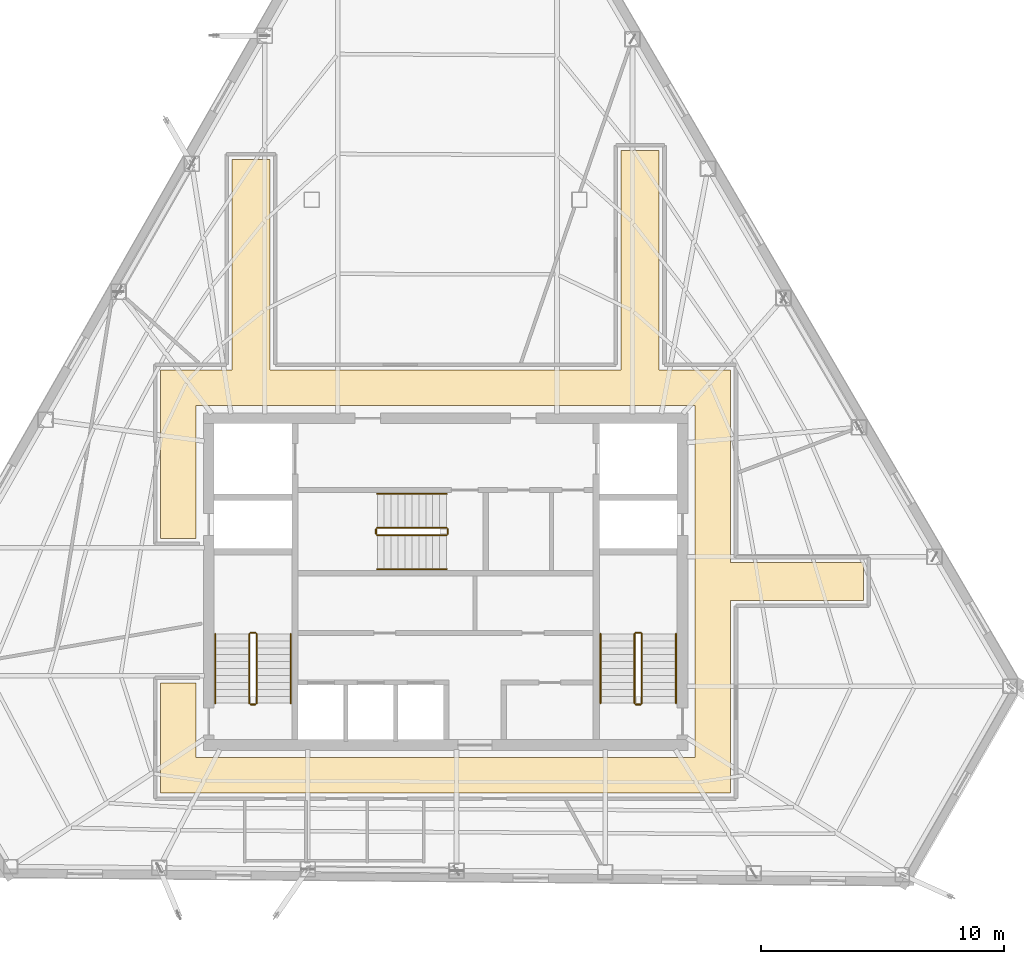
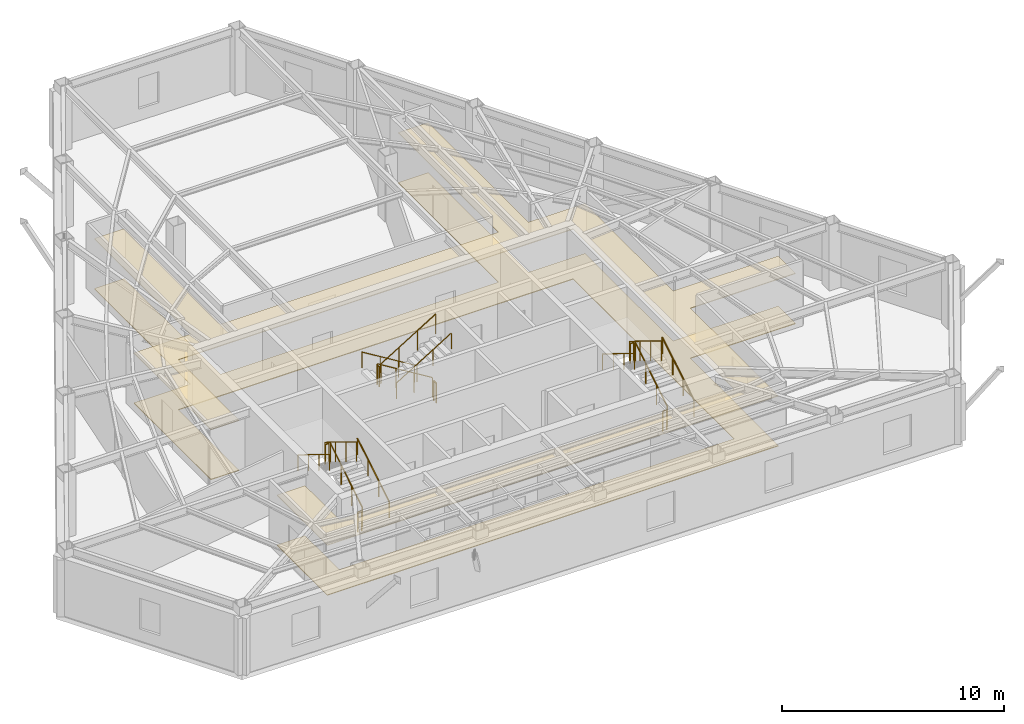
# One storey, part 10 of 10: 18 railings, 2 coverings.
"""IFC4 building model written with IfcOpenShell, lengths in metres."""

from ifc_helpers import new_model, si_unit, direction, frame, origin, origin_2d, place, context, subcontext, project, spatial, polyline, circle, outline, extrude, material, layer, layer_set, type_object, element, save


model = new_model("IFC4")

# Units and contexts
model_context = context("Model", 3, precision=1e-05, world=origin(), true_north=direction((0.0, 1.0)))
body_context = subcontext(model_context, "Body", "Model", "MODEL_VIEW")
ifc_project = project(units=[si_unit("LENGTHUNIT", "METRE"), si_unit("AREAUNIT", "SQUARE_METRE"), si_unit("VOLUMEUNIT", "CUBIC_METRE"), si_unit("PLANEANGLEUNIT", "RADIAN"), si_unit("MASSUNIT", "GRAM", prefix="KILO")], contexts=[model_context])

# Site, building, storey
site_placement = place(None, origin())
site = spatial("IfcSite", under=ifc_project, at=site_placement, CompositionType="ELEMENT")
building_placement = place(site_placement, origin())
building = spatial("IfcBuilding", under=site, at=building_placement, Name="Kavelnor Concourse Tower", CompositionType="ELEMENT")
storey_placement = place(building_placement, frame((0.0, 0.0, 188.10009765625)))
storey = spatial("IfcBuildingStorey", under=building, at=storey_placement, Name="L47", CompositionType="ELEMENT", Elevation=188.10009765625)

# Coverings
ifc_material_1 = material(Name="Mineral fibre acoustic ceiling tile")
ifc_layer_1 = layer(ifc_material_1, 0.0400390625, Name="Mineral fibre acoustic ceiling tile")
ifc_layer_set_1 = layer_set([ifc_layer_1], Name="Mineral fibre acoustic ceiling tile")
covering_type_1 = type_object("IfcCoveringType", Name="COV-CEILING-ACOUSTIC", PredefinedType="CEILING", material=ifc_layer_set_1)
covering_1_placement = place(storey_placement, frame((0.0, 0.0, 2.75)))
element("IfcCovering", 1, at=covering_1_placement, inside=storey, type_object=covering_type_1, Name="L47 Suspended Acoustic Ceiling", PredefinedType="CEILING", context=body_context, shape_type="SweptSolid", body=[
    extrude(outline(polyline([(29.219970703125, 24.800048828125), (29.219970703125, 33.4619140625), (30.780029296875, 33.4619140625), (30.780029296875, 24.800048828125), (45.219970703125, 24.800048828125), (45.219970703125, 33.822509765625), (46.780029296875, 33.822509765625), (46.780029296875, 24.800048828125), (49.719970703125, 24.800048828125), (49.719970703125, 16.8798828125), (55.179931640625, 16.8798828125), (55.179931640625, 15.320068359375), (49.719970703125, 15.320068359375), (49.719970703125, 7.39990234375), (26.280029296875, 7.39990234375), (26.280029296875, 11.929931640625), (27.739990234375, 11.929931640625), (27.739990234375, 8.860107421875), (48.260009765625, 8.860107421875), (48.260009765625, 23.340087890625), (27.739990234375, 23.340087890625), (27.739990234375, 17.8701171875), (26.280029296875, 17.8701171875), (26.280029296875, 24.800048828125), (29.219970703125, 24.800048828125)])), origin(), (0.0, 0.0, 1.0), 0.039794921875),
])
ifc_material_2 = material(Name="Honed bluestone and raised access floor finish", Category="masonry")
ifc_layer_2 = layer(ifc_material_2, 0.0400390625, Name="Honed bluestone and raised access floor finish")
ifc_layer_set_2 = layer_set([ifc_layer_2], Name="Honed bluestone and raised access floor finish")
covering_type_2 = type_object("IfcCoveringType", Name="COV-FLOOR-STONE", PredefinedType="FLOORING", material=ifc_layer_set_2)
covering_2_placement = place(storey_placement, frame((0.0, 0.0, 0.001953125)))
element("IfcCovering", 2, at=covering_2_placement, inside=storey, type_object=covering_type_2, Name="L47 Honed Bluestone Floor Finish", PredefinedType="FLOORING", context=body_context, shape_type="SweptSolid", body=[
    extrude(outline(polyline([(29.219970703125, 24.800048828125), (29.219970703125, 33.4619140625), (30.780029296875, 33.4619140625), (30.780029296875, 24.800048828125), (45.219970703125, 24.800048828125), (45.219970703125, 33.822509765625), (46.780029296875, 33.822509765625), (46.780029296875, 24.800048828125), (49.719970703125, 24.800048828125), (49.719970703125, 16.8798828125), (55.179931640625, 16.8798828125), (55.179931640625, 15.320068359375), (49.719970703125, 15.320068359375), (49.719970703125, 7.39990234375), (26.280029296875, 7.39990234375), (26.280029296875, 11.929931640625), (27.739990234375, 11.929931640625), (27.739990234375, 8.860107421875), (48.260009765625, 8.860107421875), (48.260009765625, 23.340087890625), (27.739990234375, 23.340087890625), (27.739990234375, 17.8701171875), (26.280029296875, 17.8701171875), (26.280029296875, 24.800048828125), (29.219970703125, 24.800048828125)])), origin(), (0.0, 0.0, 1.0), 0.0400390625),
])

# Railings
ifc_material_3 = material(Name="Steel Grade 350", Category="steel")
railing_type_1 = type_object("IfcRailingType", Name="RLG-GUARD-1100", PredefinedType="GUARDRAIL", material=ifc_material_3)
railing_1_placement = place(storey_placement, frame((30.22998046875, 11.10009765625, 0.1748046875)))
element("IfcRailing", 3, at=railing_1_placement, inside=storey, type_object=railing_type_1, Name="L47 ST1 stair guard 1", PredefinedType="GUARDRAIL", context=body_context, shape_type="SweptSolid", body=[
    extrude(circle(Radius=0.02392578125, at=origin_2d()), frame((0.0, 0.0, 1.076171875), z_axis=(0.0, 0.852159232446, 0.523282564737), x_axis=(-1.0, 0.0, 0.0)), (0.0, 0.0, 1.0), 3.34423828125),
    extrude(circle(Radius=0.02099609375, at=origin_2d()), origin(), (0.0, 0.0, 1.0), 1.052001953125),
    extrude(circle(Radius=0.02099609375, at=origin_2d()), frame((0.0, 0.949951171875, 0.583251953125)), (0.0, 0.0, 1.0), 1.052001953125),
    extrude(circle(Radius=0.02099609375, at=origin_2d()), frame((0.0, 1.89990234375, 1.166748046875)), (0.0, 0.0, 1.0), 1.052001953125),
    extrude(circle(Radius=0.02099609375, at=origin_2d()), frame((0.0, 2.849853515625, 1.75)), (0.0, 0.0, 1.0), 1.052001953125),
])
railing_2_placement = place(storey_placement, frame((30.179931640625, 14.0, 1.9248046875)))
element("IfcRailing", 4, at=railing_2_placement, inside=storey, type_object=railing_type_1, Name="L47 ST1 stair guard 2", PredefinedType="GUARDRAIL", context=body_context, shape_type="SweptSolid", body=[
    extrude(circle(Radius=0.02392578125, at=origin_2d()), frame((0.0, 0.0, 1.076171875), z_axis=(-1.0, 0.0, 0.0), x_axis=(0.0, -1.0, 0.0)), (0.0, 0.0, 1.0), 0.199951171875),
    extrude(circle(Radius=0.02099609375, at=origin_2d()), origin(), (0.0, 0.0, 1.0), 1.052001953125),
    extrude(circle(Radius=0.02099609375, at=origin_2d()), frame((-0.199951171875, 0.0, 0.0)), (0.0, 0.0, 1.0), 1.052001953125),
])
railing_3_placement = place(storey_placement, frame((29.929931640625, 13.949951171875, 2.099853515625)))
element("IfcRailing", 5, at=railing_3_placement, inside=storey, type_object=railing_type_1, Name="L47 ST1 stair guard 3", PredefinedType="GUARDRAIL", context=body_context, shape_type="SweptSolid", body=[
    extrude(circle(Radius=0.02392578125, at=origin_2d()), frame((0.0, 0.0, 1.076171875), z_axis=(0.0, -0.852159232446, 0.523282564737), x_axis=(1.0, 0.0, 0.0)), (0.0, 0.0, 1.0), 3.34423828125),
    extrude(circle(Radius=0.02099609375, at=origin_2d()), origin(), (0.0, 0.0, 1.0), 1.052001953125),
    extrude(circle(Radius=0.02099609375, at=origin_2d()), frame((0.0, -0.949951171875, 0.583251953125)), (0.0, 0.0, 1.0), 1.052001953125),
    extrude(circle(Radius=0.02099609375, at=origin_2d()), frame((0.0, -1.89990234375, 1.166748046875)), (0.0, 0.0, 1.0), 1.052001953125),
    extrude(circle(Radius=0.02099609375, at=origin_2d()), frame((0.0, -2.849853515625, 1.75)), (0.0, 0.0, 1.0), 1.052001953125),
])
railing_4_placement = place(storey_placement, frame((30.179931640625, 11.050048828125, 0.0)))
element("IfcRailing", 6, at=railing_4_placement, inside=storey, type_object=railing_type_1, Name="L47 ST1 stair guard 4", PredefinedType="GUARDRAIL", context=body_context, shape_type="SweptSolid", body=[
    extrude(circle(Radius=0.02392578125, at=origin_2d()), frame((0.0, 0.0, 1.076171875), z_axis=(-1.0, 0.0, 0.0), x_axis=(0.0, -1.0, 0.0)), (0.0, 0.0, 1.0), 0.199951171875),
    extrude(circle(Radius=0.02099609375, at=origin_2d()), origin(), (0.0, 0.0, 1.0), 1.052001953125),
    extrude(circle(Radius=0.02099609375, at=origin_2d()), frame((-0.199951171875, 0.0, 0.0)), (0.0, 0.0, 1.0), 1.052001953125),
])
railing_5_placement = place(storey_placement, frame((46.070068359375, 11.10009765625, 0.1748046875)))
element("IfcRailing", 7, at=railing_5_placement, inside=storey, type_object=railing_type_1, Name="L47 ST2 stair guard 1", PredefinedType="GUARDRAIL", context=body_context, shape_type="SweptSolid", body=[
    extrude(circle(Radius=0.02392578125, at=origin_2d()), frame((0.0, 0.0, 1.076171875), z_axis=(0.0, 0.852159232446, 0.523282564737), x_axis=(-1.0, 0.0, 0.0)), (0.0, 0.0, 1.0), 3.34423828125),
    extrude(circle(Radius=0.02099609375, at=origin_2d()), origin(), (0.0, 0.0, 1.0), 1.052001953125),
    extrude(circle(Radius=0.02099609375, at=origin_2d()), frame((0.0, 0.949951171875, 0.583251953125)), (0.0, 0.0, 1.0), 1.052001953125),
    extrude(circle(Radius=0.02099609375, at=origin_2d()), frame((0.0, 1.89990234375, 1.166748046875)), (0.0, 0.0, 1.0), 1.052001953125),
    extrude(circle(Radius=0.02099609375, at=origin_2d()), frame((0.0, 2.849853515625, 1.75)), (0.0, 0.0, 1.0), 1.052001953125),
])
railing_6_placement = place(storey_placement, frame((46.02001953125, 14.0, 1.9248046875)))
element("IfcRailing", 8, at=railing_6_placement, inside=storey, type_object=railing_type_1, Name="L47 ST2 stair guard 2", PredefinedType="GUARDRAIL", context=body_context, shape_type="SweptSolid", body=[
    extrude(circle(Radius=0.02392578125, at=origin_2d()), frame((0.0, 0.0, 1.076171875), z_axis=(-1.0, 0.0, 0.0), x_axis=(0.0, -1.0, 0.0)), (0.0, 0.0, 1.0), 0.199951171875),
    extrude(circle(Radius=0.02099609375, at=origin_2d()), origin(), (0.0, 0.0, 1.0), 1.052001953125),
    extrude(circle(Radius=0.02099609375, at=origin_2d()), frame((-0.199951171875, 0.0, 0.0)), (0.0, 0.0, 1.0), 1.052001953125),
])
railing_7_placement = place(storey_placement, frame((45.77001953125, 13.949951171875, 2.099853515625)))
element("IfcRailing", 9, at=railing_7_placement, inside=storey, type_object=railing_type_1, Name="L47 ST2 stair guard 3", PredefinedType="GUARDRAIL", context=body_context, shape_type="SweptSolid", body=[
    extrude(circle(Radius=0.02392578125, at=origin_2d()), frame((0.0, 0.0, 1.076171875), z_axis=(0.0, -0.852159232446, 0.523282564737), x_axis=(1.0, 0.0, 0.0)), (0.0, 0.0, 1.0), 3.34423828125),
    extrude(circle(Radius=0.02099609375, at=origin_2d()), origin(), (0.0, 0.0, 1.0), 1.052001953125),
    extrude(circle(Radius=0.02099609375, at=origin_2d()), frame((0.0, -0.949951171875, 0.583251953125)), (0.0, 0.0, 1.0), 1.052001953125),
    extrude(circle(Radius=0.02099609375, at=origin_2d()), frame((0.0, -1.89990234375, 1.166748046875)), (0.0, 0.0, 1.0), 1.052001953125),
    extrude(circle(Radius=0.02099609375, at=origin_2d()), frame((0.0, -2.849853515625, 1.75)), (0.0, 0.0, 1.0), 1.052001953125),
])
railing_8_placement = place(storey_placement, frame((46.02001953125, 11.050048828125, 0.0)))
element("IfcRailing", 10, at=railing_8_placement, inside=storey, type_object=railing_type_1, Name="L47 ST2 stair guard 4", PredefinedType="GUARDRAIL", context=body_context, shape_type="SweptSolid", body=[
    extrude(circle(Radius=0.02392578125, at=origin_2d()), frame((0.0, 0.0, 1.076171875), z_axis=(-1.0, 0.0, 0.0), x_axis=(0.0, -1.0, 0.0)), (0.0, 0.0, 1.0), 0.199951171875),
    extrude(circle(Radius=0.02099609375, at=origin_2d()), origin(), (0.0, 0.0, 1.0), 1.052001953125),
    extrude(circle(Radius=0.02099609375, at=origin_2d()), frame((-0.199951171875, 0.0, 0.0)), (0.0, 0.0, 1.0), 1.052001953125),
])
railing_9_placement = place(storey_placement, frame((38.0400390625, 18.31005859375, 0.1748046875)))
element("IfcRailing", 11, at=railing_9_placement, inside=storey, type_object=railing_type_1, Name="L47 ST3 stair guard 1", PredefinedType="GUARDRAIL", context=body_context, shape_type="SweptSolid", body=[
    extrude(circle(Radius=0.02392578125, at=origin_2d()), frame((0.0, 0.0, 1.076171875), z_axis=(-0.852179220489, 0.0, 0.52325001306), x_axis=(0.0, -1.0, 0.0)), (0.0, 0.0, 1.0), 3.344482421875),
    extrude(circle(Radius=0.02099609375, at=origin_2d()), origin(), (0.0, 0.0, 1.0), 1.052001953125),
    extrude(circle(Radius=0.02099609375, at=origin_2d()), frame((-0.949951171875, 0.0, 0.583251953125)), (0.0, 0.0, 1.0), 1.052001953125),
    extrude(circle(Radius=0.02099609375, at=origin_2d()), frame((-1.900146484375, 0.0, 1.166748046875)), (0.0, 0.0, 1.0), 1.052001953125),
    extrude(circle(Radius=0.02099609375, at=origin_2d()), frame((-2.85009765625, 0.0, 1.75)), (0.0, 0.0, 1.0), 1.052001953125),
])
railing_10_placement = place(storey_placement, frame((35.139892578125, 18.260009765625, 1.9248046875)))
element("IfcRailing", 12, at=railing_10_placement, inside=storey, type_object=railing_type_1, Name="L47 ST3 stair guard 2", PredefinedType="GUARDRAIL", context=body_context, shape_type="SweptSolid", body=[
    extrude(circle(Radius=0.02392578125, at=origin_2d()), frame((0.0, 0.0, 1.076171875), z_axis=(0.0, -1.0, 0.0), x_axis=(1.0, 0.0, 0.0)), (0.0, 0.0, 1.0), 0.199951171875),
    extrude(circle(Radius=0.02099609375, at=origin_2d()), origin(), (0.0, 0.0, 1.0), 1.052001953125),
    extrude(circle(Radius=0.02099609375, at=origin_2d()), frame((0.0, -0.199951171875, 0.0)), (0.0, 0.0, 1.0), 1.052001953125),
])
railing_11_placement = place(storey_placement, frame((35.18994140625, 18.010009765625, 2.099853515625)))
element("IfcRailing", 13, at=railing_11_placement, inside=storey, type_object=railing_type_1, Name="L47 ST3 stair guard 3", PredefinedType="GUARDRAIL", context=body_context, shape_type="SweptSolid", body=[
    extrude(circle(Radius=0.02392578125, at=origin_2d()), frame((0.0, 0.0, 1.076171875), z_axis=(0.852179220489, 0.0, 0.52325001306), x_axis=(0.0, 1.0, 0.0)), (0.0, 0.0, 1.0), 3.344482421875),
    extrude(circle(Radius=0.02099609375, at=origin_2d()), origin(), (0.0, 0.0, 1.0), 1.052001953125),
    extrude(circle(Radius=0.02099609375, at=origin_2d()), frame((0.949951171875, 0.0, 0.583251953125)), (0.0, 0.0, 1.0), 1.052001953125),
    extrude(circle(Radius=0.02099609375, at=origin_2d()), frame((1.900146484375, 0.0, 1.166748046875)), (0.0, 0.0, 1.0), 1.052001953125),
    extrude(circle(Radius=0.02099609375, at=origin_2d()), frame((2.85009765625, 0.0, 1.75)), (0.0, 0.0, 1.0), 1.052001953125),
])
railing_12_placement = place(storey_placement, frame((38.090087890625, 18.260009765625, 0.0)))
element("IfcRailing", 14, at=railing_12_placement, inside=storey, type_object=railing_type_1, Name="L47 ST3 stair guard 4", PredefinedType="GUARDRAIL", context=body_context, shape_type="SweptSolid", body=[
    extrude(circle(Radius=0.02392578125, at=origin_2d()), frame((0.0, 0.0, 1.076171875), z_axis=(0.0, -1.0, 0.0), x_axis=(1.0, 0.0, 0.0)), (0.0, 0.0, 1.0), 0.199951171875),
    extrude(circle(Radius=0.02099609375, at=origin_2d()), origin(), (0.0, 0.0, 1.0), 1.052001953125),
    extrude(circle(Radius=0.02099609375, at=origin_2d()), frame((0.0, -0.199951171875, 0.0)), (0.0, 0.0, 1.0), 1.052001953125),
])
railing_type_2 = type_object("IfcRailingType", Name="RLG-HANDRAIL-900", PredefinedType="HANDRAIL", material=ifc_material_3)
railing_13_placement = place(storey_placement, frame((31.6298828125, 11.10009765625, 0.1748046875)))
element("IfcRailing", 15, at=railing_13_placement, inside=storey, type_object=railing_type_2, Name="L47 ST1 stair handrail 1", PredefinedType="HANDRAIL", context=body_context, shape_type="SweptSolid", body=[
    extrude(circle(Radius=0.02392578125, at=origin_2d()), frame((0.0, 0.0, 0.8759765625), z_axis=(0.0, 0.852159232446, 0.523282564737), x_axis=(-1.0, 0.0, 0.0)), (0.0, 0.0, 1.0), 3.34423828125),
    extrude(circle(Radius=0.02099609375, at=origin_2d()), origin(), (0.0, 0.0, 1.0), 0.851806640625),
    extrude(circle(Radius=0.02099609375, at=origin_2d()), frame((0.0, 0.949951171875, 0.583251953125)), (0.0, 0.0, 1.0), 0.851806640625),
    extrude(circle(Radius=0.02099609375, at=origin_2d()), frame((0.0, 1.89990234375, 1.166748046875)), (0.0, 0.0, 1.0), 0.851806640625),
    extrude(circle(Radius=0.02099609375, at=origin_2d()), frame((0.0, 2.849853515625, 1.75)), (0.0, 0.0, 1.0), 0.851806640625),
])
railing_14_placement = place(storey_placement, frame((28.530029296875, 13.949951171875, 2.099853515625)))
element("IfcRailing", 16, at=railing_14_placement, inside=storey, type_object=railing_type_2, Name="L47 ST1 stair handrail 2", PredefinedType="HANDRAIL", context=body_context, shape_type="SweptSolid", body=[
    extrude(circle(Radius=0.02392578125, at=origin_2d()), frame((0.0, 0.0, 0.8759765625), z_axis=(0.0, -0.852159232446, 0.523282564737), x_axis=(1.0, 0.0, 0.0)), (0.0, 0.0, 1.0), 3.34423828125),
    extrude(circle(Radius=0.02099609375, at=origin_2d()), origin(), (0.0, 0.0, 1.0), 0.851806640625),
    extrude(circle(Radius=0.02099609375, at=origin_2d()), frame((0.0, -0.949951171875, 0.583251953125)), (0.0, 0.0, 1.0), 0.851806640625),
    extrude(circle(Radius=0.02099609375, at=origin_2d()), frame((0.0, -1.89990234375, 1.166748046875)), (0.0, 0.0, 1.0), 0.851806640625),
    extrude(circle(Radius=0.02099609375, at=origin_2d()), frame((0.0, -2.849853515625, 1.75)), (0.0, 0.0, 1.0), 0.851806640625),
])
railing_15_placement = place(storey_placement, frame((47.469970703125, 11.10009765625, 0.1748046875)))
element("IfcRailing", 17, at=railing_15_placement, inside=storey, type_object=railing_type_2, Name="L47 ST2 stair handrail 1", PredefinedType="HANDRAIL", context=body_context, shape_type="SweptSolid", body=[
    extrude(circle(Radius=0.02392578125, at=origin_2d()), frame((0.0, 0.0, 0.8759765625), z_axis=(0.0, 0.852159232446, 0.523282564737), x_axis=(-1.0, 0.0, 0.0)), (0.0, 0.0, 1.0), 3.34423828125),
    extrude(circle(Radius=0.02099609375, at=origin_2d()), origin(), (0.0, 0.0, 1.0), 0.851806640625),
    extrude(circle(Radius=0.02099609375, at=origin_2d()), frame((0.0, 0.949951171875, 0.583251953125)), (0.0, 0.0, 1.0), 0.851806640625),
    extrude(circle(Radius=0.02099609375, at=origin_2d()), frame((0.0, 1.89990234375, 1.166748046875)), (0.0, 0.0, 1.0), 0.851806640625),
    extrude(circle(Radius=0.02099609375, at=origin_2d()), frame((0.0, 2.849853515625, 1.75)), (0.0, 0.0, 1.0), 0.851806640625),
])
railing_16_placement = place(storey_placement, frame((44.3701171875, 13.949951171875, 2.099853515625)))
element("IfcRailing", 18, at=railing_16_placement, inside=storey, type_object=railing_type_2, Name="L47 ST2 stair handrail 2", PredefinedType="HANDRAIL", context=body_context, shape_type="SweptSolid", body=[
    extrude(circle(Radius=0.02392578125, at=origin_2d()), frame((0.0, 0.0, 0.8759765625), z_axis=(0.0, -0.852159232446, 0.523282564737), x_axis=(1.0, 0.0, 0.0)), (0.0, 0.0, 1.0), 3.34423828125),
    extrude(circle(Radius=0.02099609375, at=origin_2d()), origin(), (0.0, 0.0, 1.0), 0.851806640625),
    extrude(circle(Radius=0.02099609375, at=origin_2d()), frame((0.0, -0.949951171875, 0.583251953125)), (0.0, 0.0, 1.0), 0.851806640625),
    extrude(circle(Radius=0.02099609375, at=origin_2d()), frame((0.0, -1.89990234375, 1.166748046875)), (0.0, 0.0, 1.0), 0.851806640625),
    extrude(circle(Radius=0.02099609375, at=origin_2d()), frame((0.0, -2.849853515625, 1.75)), (0.0, 0.0, 1.0), 0.851806640625),
])
railing_17_placement = place(storey_placement, frame((38.0400390625, 19.7099609375, 0.1748046875)))
element("IfcRailing", 19, at=railing_17_placement, inside=storey, type_object=railing_type_2, Name="L47 ST3 stair handrail 1", PredefinedType="HANDRAIL", context=body_context, shape_type="SweptSolid", body=[
    extrude(circle(Radius=0.02392578125, at=origin_2d()), frame((0.0, 0.0, 0.8759765625), z_axis=(-0.852179220489, 0.0, 0.52325001306), x_axis=(0.0, -1.0, 0.0)), (0.0, 0.0, 1.0), 3.344482421875),
    extrude(circle(Radius=0.02099609375, at=origin_2d()), origin(), (0.0, 0.0, 1.0), 0.851806640625),
    extrude(circle(Radius=0.02099609375, at=origin_2d()), frame((-0.949951171875, 0.0, 0.583251953125)), (0.0, 0.0, 1.0), 0.851806640625),
    extrude(circle(Radius=0.02099609375, at=origin_2d()), frame((-1.900146484375, 0.0, 1.166748046875)), (0.0, 0.0, 1.0), 0.851806640625),
    extrude(circle(Radius=0.02099609375, at=origin_2d()), frame((-2.85009765625, 0.0, 1.75)), (0.0, 0.0, 1.0), 0.851806640625),
])
railing_18_placement = place(storey_placement, frame((35.18994140625, 16.610107421875, 2.099853515625)))
element("IfcRailing", 20, at=railing_18_placement, inside=storey, type_object=railing_type_2, Name="L47 ST3 stair handrail 2", PredefinedType="HANDRAIL", context=body_context, shape_type="SweptSolid", body=[
    extrude(circle(Radius=0.02392578125, at=origin_2d()), frame((0.0, 0.0, 0.8759765625), z_axis=(0.852179220489, 0.0, 0.52325001306), x_axis=(0.0, 1.0, 0.0)), (0.0, 0.0, 1.0), 3.344482421875),
    extrude(circle(Radius=0.02099609375, at=origin_2d()), origin(), (0.0, 0.0, 1.0), 0.851806640625),
    extrude(circle(Radius=0.02099609375, at=origin_2d()), frame((0.949951171875, 0.0, 0.583251953125)), (0.0, 0.0, 1.0), 0.851806640625),
    extrude(circle(Radius=0.02099609375, at=origin_2d()), frame((1.900146484375, 0.0, 1.166748046875)), (0.0, 0.0, 1.0), 0.851806640625),
    extrude(circle(Radius=0.02099609375, at=origin_2d()), frame((2.85009765625, 0.0, 1.75)), (0.0, 0.0, 1.0), 0.851806640625),
])

save(model, "model.ifc")
